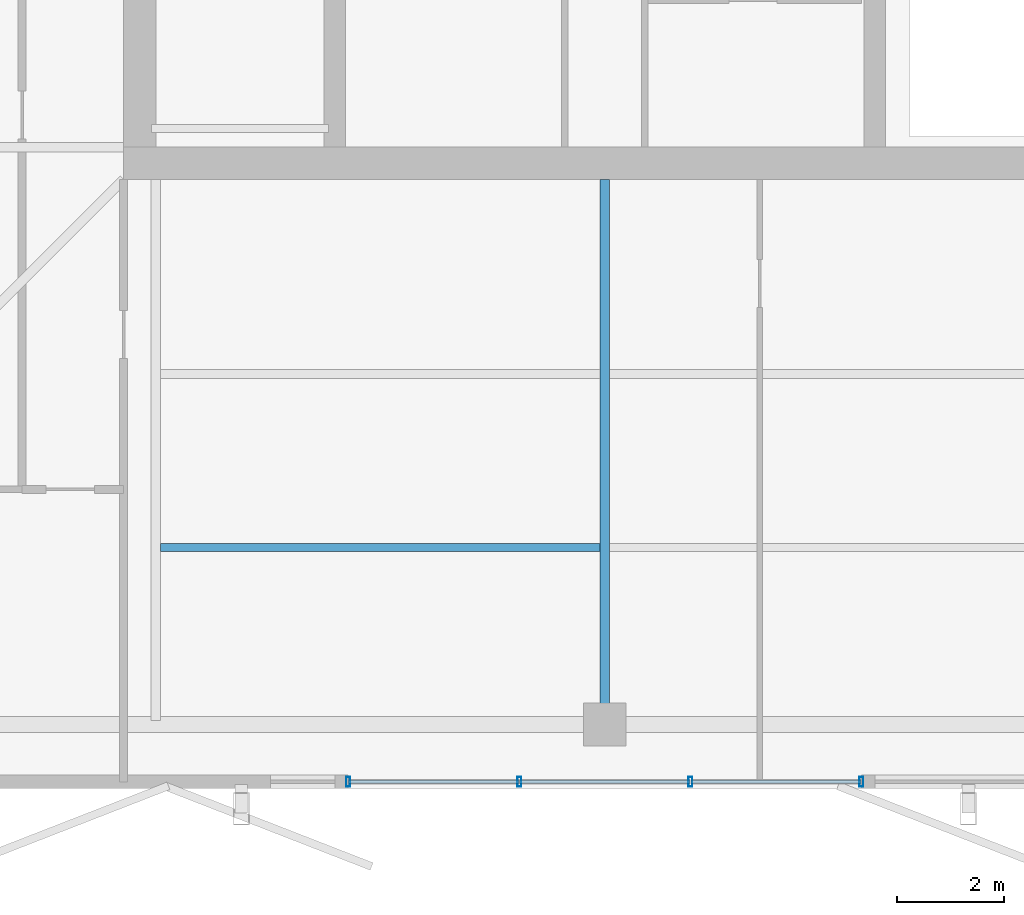
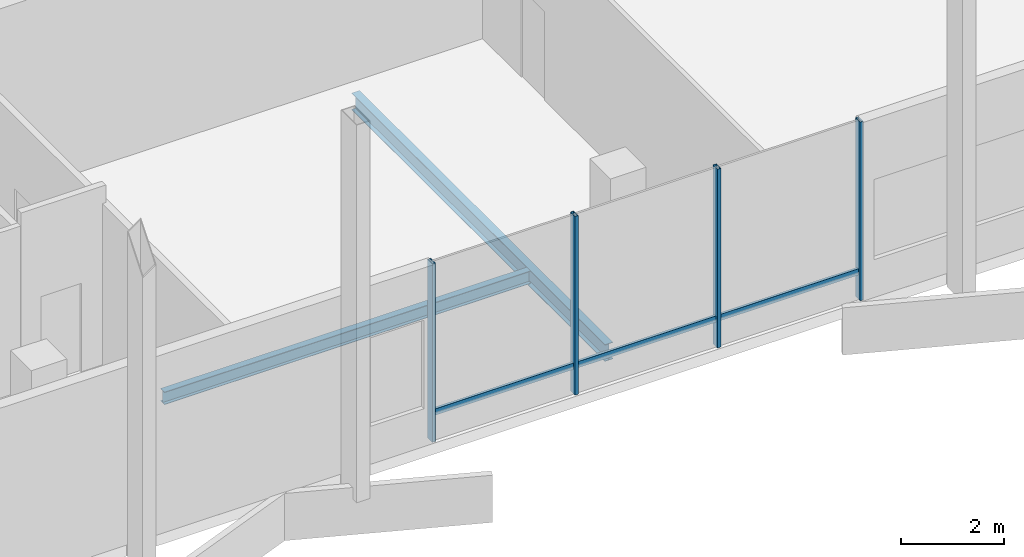
# One storey, part 2 of 15: 7 members, 2 beams, 1 element without a shape of its own.
"""IFC4 building model written with IfcOpenShell, lengths in metres."""

from ifc_helpers import new_model, si_unit, direction, frame, origin, origin_2d, place, context, subcontext, project, spatial, hollow_rectangle, i_section, extrude, material, layer, layer_set, material_profile, profile_set, type_object, element, aggregate, save


model = new_model("IFC4")

# Units and contexts
model_context = context("Model", 3, precision=1e-05, world=origin(), true_north=direction((0.0, 1.0)))
body_context = subcontext(model_context, "Body", "Model", "MODEL_VIEW")
ifc_project = project(units=[si_unit("LENGTHUNIT", "METRE"), si_unit("AREAUNIT", "SQUARE_METRE"), si_unit("VOLUMEUNIT", "CUBIC_METRE"), si_unit("PLANEANGLEUNIT", "RADIAN"), si_unit("MASSUNIT", "GRAM", prefix="KILO")], contexts=[model_context])

# Site, building, storey
site_placement = place(None, origin())
site = spatial("IfcSite", under=ifc_project, at=site_placement, CompositionType="ELEMENT")
building_placement = place(site_placement, origin())
building = spatial("IfcBuilding", under=site, at=building_placement, Name="Belovzor Exchange Tower", CompositionType="ELEMENT")
storey_placement = place(building_placement, frame((0.0, 0.0, 360.0)))
storey = spatial("IfcBuildingStorey", under=building, at=storey_placement, Name="L90", CompositionType="ELEMENT", Elevation=360.0)

# Beam
ifc_material_1 = material(Name="Steel S355", Category="steel")
ifc_material_profile_1 = material_profile(ifc_material_1, i_section(OverallWidth=0.14990234375, OverallDepth=0.300048828125, WebThickness=0.007080078125, FlangeThickness=0.0107421875, at=origin_2d()))
ifc_profile_set_1 = profile_set([ifc_material_profile_1], Name="Steel S355")
beam_type_1 = type_object("IfcBeamType", Name="Secondary Trim Floor Joist IPE 300", PredefinedType="BEAM", material=ifc_profile_set_1)
beam_1_placement = place(storey_placement, frame((20.489990234375, 12.9150390625, -0.409912109375), z_axis=(1.0, 0.0, 0.0), x_axis=(0.0, 1.0, 0.0)))
element("IfcBeam", 1, at=beam_1_placement, inside=storey, type_object=beam_type_1, Name="FJ-300 Secondary Trim Floor Joist IPE 300", PredefinedType="BEAM", context=body_context, shape_type="SweptSolid", body=[
    extrude(i_section(OverallWidth=0.14990234375, OverallDepth=0.300048828125, WebThickness=0.007080078125, FlangeThickness=0.0107421875, at=origin_2d()), origin(), (0.0, 0.0, 1.0), 8.219970703125),
])

# Curtain wall, members
ifc_material_2 = material(Name="Anodised Aluminium Framing", Category="aluminium")
ifc_layer = layer(ifc_material_2, 0.169921875)
ifc_layer_set = layer_set([ifc_layer], Name="Anodised Aluminium Framing")
curtain_wall_type = type_object("IfcCurtainWallType", Name="Stepped Crown Faceted Lantern Curtain Wall", PredefinedType="NOTDEFINED", material=ifc_layer_set)
curtain_wall_placement = place(storey_placement, origin())
curtain_wall = element("IfcCurtainWall", 2, at=curtain_wall_placement, inside=storey, type_object=curtain_wall_type, Name="CW6 Stepped Crown Faceted Lantern Curtain Wall L90", PredefinedType="NOTDEFINED")
ifc_material_3 = material(Name="Steel S355", Category="steel")
ifc_material_profile_2 = material_profile(ifc_material_3, hollow_rectangle(XDim=0.074951171875, YDim=0.179931640625, WallThickness=0.0048828125, at=origin_2d()))
ifc_profile_set_2 = profile_set([ifc_material_profile_2], Name="Steel S355")
member_type_1 = type_object("IfcMemberType", Name="Thermally Broken Curtain Wall Mullion 180x75", PredefinedType="MULLION", material=ifc_profile_set_2)
member_1_placement = place(storey_placement, frame((33.60009765625, 8.530029296875, 0.0), z_axis=(0.0, 0.0, 1.0), x_axis=(-1.0, 0.0, 0.0)))
member_1 = element("IfcMember", 3, at=member_1_placement, type_object=member_type_1, Name="CW-M180 Curtain Wall Mullion 1", PredefinedType="MULLION", context=body_context, shape_type="SweptSolid", body=[
    extrude(hollow_rectangle(XDim=0.074951171875, YDim=0.179931640625, WallThickness=0.0048828125, at=origin_2d()), origin(), (0.0, 0.0, 1.0), 4.239990234375),
])
member_2_placement = place(storey_placement, frame((30.39990234375, 8.530029296875, 0.0), z_axis=(0.0, 0.0, 1.0), x_axis=(-1.0, 0.0, 0.0)))
member_2 = element("IfcMember", 4, at=member_2_placement, type_object=member_type_1, Name="CW-M180 Curtain Wall Mullion 2", PredefinedType="MULLION", context=body_context, shape_type="SweptSolid", body=[
    extrude(hollow_rectangle(XDim=0.074951171875, YDim=0.179931640625, WallThickness=0.0048828125, at=origin_2d()), origin(), (0.0, 0.0, 1.0), 4.239990234375),
])
member_3_placement = place(storey_placement, frame((27.199951171875, 8.530029296875, 0.0), z_axis=(0.0, 0.0, 1.0), x_axis=(-1.0, 0.0, 0.0)))
member_3 = element("IfcMember", 5, at=member_3_placement, type_object=member_type_1, Name="CW-M180 Curtain Wall Mullion 3", PredefinedType="MULLION", context=body_context, shape_type="SweptSolid", body=[
    extrude(hollow_rectangle(XDim=0.074951171875, YDim=0.179931640625, WallThickness=0.0048828125, at=origin_2d()), origin(), (0.0, 0.0, 1.0), 4.239990234375),
])
member_4_placement = place(storey_placement, frame((24.0, 8.530029296875, 0.0), z_axis=(0.0, 0.0, 1.0), x_axis=(-1.0, 0.0, 0.0)))
member_4 = element("IfcMember", 6, at=member_4_placement, type_object=member_type_1, Name="CW-M180 Curtain Wall Mullion 4", PredefinedType="MULLION", context=body_context, shape_type="SweptSolid", body=[
    extrude(hollow_rectangle(XDim=0.074951171875, YDim=0.179931640625, WallThickness=0.0048828125, at=origin_2d()), origin(), (0.0, 0.0, 1.0), 4.239990234375),
])
ifc_material_4 = material(Name="Steel S355", Category="steel")
ifc_material_profile_3 = material_profile(ifc_material_4, hollow_rectangle(XDim=0.06005859375, YDim=0.14990234375, WallThickness=0.00390625, at=origin_2d()))
ifc_profile_set_3 = profile_set([ifc_material_profile_3], Name="Steel S355")
member_type_2 = type_object("IfcMemberType", Name="Thermally Broken Curtain Wall Transom 150x60", PredefinedType="USERDEFINED", material=ifc_profile_set_3)
member_5_placement = place(storey_placement, frame((33.592041015625, 8.530029296875, 0.64990234375), z_axis=(-1.0, 0.0, 0.0), x_axis=(0.0, -1.0, 0.0)))
member_5 = element("IfcMember", 7, at=member_5_placement, type_object=member_type_2, Name="CW-T150 Curtain Wall Transom 1", ObjectType="TRANSOM", PredefinedType="USERDEFINED", context=body_context, shape_type="SweptSolid", body=[
    extrude(hollow_rectangle(XDim=0.06005859375, YDim=0.14990234375, WallThickness=0.00390625, at=origin_2d()), origin(), (0.0, 0.0, 1.0), 3.18408203125),
])
member_6_placement = place(storey_placement, frame((30.39208984375, 8.530029296875, 0.64990234375), z_axis=(-1.0, 0.0, 0.0), x_axis=(0.0, -1.0, 0.0)))
member_6 = element("IfcMember", 8, at=member_6_placement, type_object=member_type_2, Name="CW-T150 Curtain Wall Transom 2", ObjectType="TRANSOM", PredefinedType="USERDEFINED", context=body_context, shape_type="SweptSolid", body=[
    extrude(hollow_rectangle(XDim=0.06005859375, YDim=0.14990234375, WallThickness=0.00390625, at=origin_2d()), origin(), (0.0, 0.0, 1.0), 3.18408203125),
])
member_7_placement = place(storey_placement, frame((27.19189453125, 8.530029296875, 0.64990234375), z_axis=(-1.0, 0.0, 0.0), x_axis=(0.0, -1.0, 0.0)))
member_7 = element("IfcMember", 9, at=member_7_placement, type_object=member_type_2, Name="CW-T150 Curtain Wall Transom 3", ObjectType="TRANSOM", PredefinedType="USERDEFINED", context=body_context, shape_type="SweptSolid", body=[
    extrude(hollow_rectangle(XDim=0.06005859375, YDim=0.14990234375, WallThickness=0.00390625, at=origin_2d()), origin(), (0.0, 0.0, 1.0), 3.183837890625),
])
aggregate(curtain_wall, [member_1, member_2, member_3, member_4, member_5, member_6, member_7])

# Beam
ifc_material_5 = material(Name="Steel S355", Category="steel")
ifc_material_profile_4 = material_profile(ifc_material_5, i_section(OverallWidth=0.179931640625, OverallDepth=0.39990234375, WebThickness=0.008544921875, FlangeThickness=0.013427734375, at=origin_2d()))
ifc_profile_set_4 = profile_set([ifc_material_profile_4], Name="Steel S355")
beam_type_2 = type_object("IfcBeamType", Name="Zone 5-6 Radial Composite Floor Beam IPE 400", PredefinedType="BEAM", material=ifc_profile_set_4)
beam_2_placement = place(storey_placement, frame((28.800048828125, 19.800048828125, -0.4599609375), z_axis=(0.0, -1.0, 0.0), x_axis=(1.0, 0.0, 0.0)))
element("IfcBeam", 10, at=beam_2_placement, inside=storey, type_object=beam_type_2, Name="FB-400 Zone 5-6 Radial Composite Floor Beam IPE 400", PredefinedType="BEAM", context=body_context, shape_type="SweptSolid", body=[
    extrude(i_section(OverallWidth=0.179931640625, OverallDepth=0.39990234375, WebThickness=0.008544921875, FlangeThickness=0.013427734375, at=origin_2d()), origin(), (0.0, 0.0, 1.0), 9.84814453125),
])

save(model, "model.ifc")
